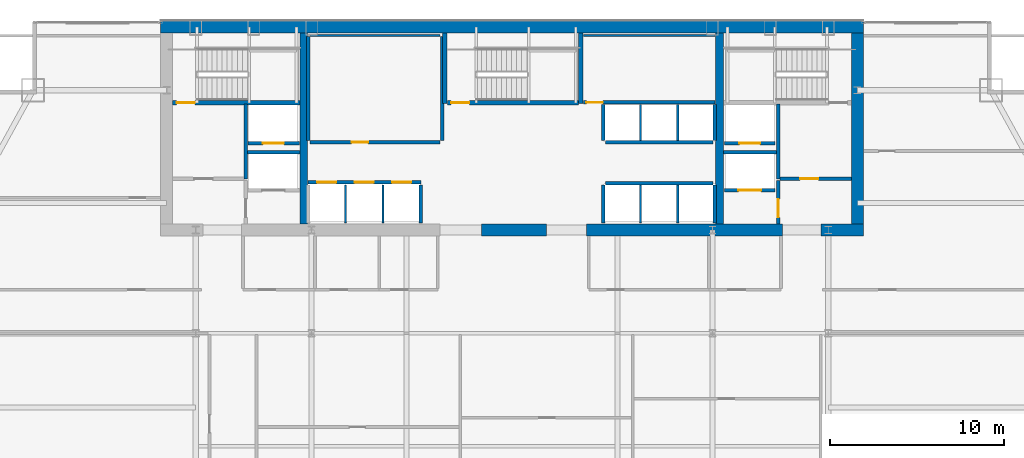
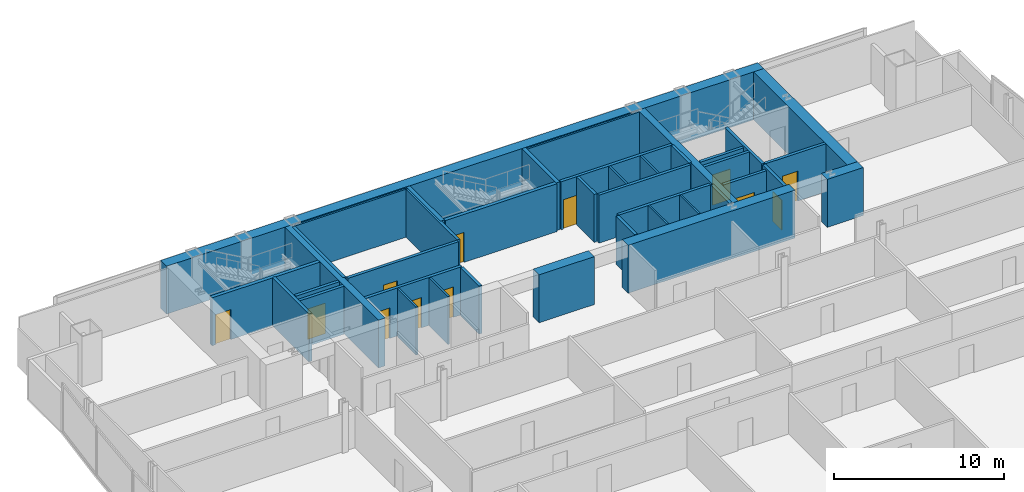
# One storey, part 26 of 29: 40 walls, 12 doors, 12 openings.
"""IFC4 building model written with IfcOpenShell, lengths in metres."""

from ifc_helpers import new_model, si_unit, direction, frame, frame_2d, origin, place, context, subcontext, project, spatial, rectangle, extrude, material, layer, layer_set, type_object, element, fill, save


model = new_model("IFC4")

# Units and contexts
model_context = context("Model", 3, precision=1e-05, world=origin(), true_north=direction((0.0, 1.0)))
body_context = subcontext(model_context, "Body", "Model", "MODEL_VIEW")
ifc_project = project(units=[si_unit("LENGTHUNIT", "METRE"), si_unit("AREAUNIT", "SQUARE_METRE"), si_unit("VOLUMEUNIT", "CUBIC_METRE"), si_unit("PLANEANGLEUNIT", "RADIAN"), si_unit("MASSUNIT", "GRAM", prefix="KILO")], contexts=[model_context])

# Site, building, storey
site_placement = place(None, origin())
site = spatial("IfcSite", under=ifc_project, at=site_placement, CompositionType="ELEMENT")
building_placement = place(site_placement, origin())
building = spatial("IfcBuilding", under=site, at=building_placement, Name="Khoronbel Lancet Exchange", CompositionType="ELEMENT")
storey_placement = place(building_placement, frame((0.0, 0.0, 139.800048828125)))
storey = spatial("IfcBuildingStorey", under=building, at=storey_placement, Name="L34", CompositionType="ELEMENT", Elevation=139.800048828125)

# Walls
ifc_material_1 = material(Name="Concrete C80/95", Category="concrete")
ifc_layer_1 = layer(ifc_material_1, 0.699951171875, Name="Concrete C80/95")
ifc_layer_set_1 = layer_set([ifc_layer_1], Name="Concrete C80/95")
wall_type_1 = type_object("IfcWallType", Name="WL-CW2", PredefinedType="SHEAR", material=ifc_layer_set_1)
wall_1_placement = place(storey_placement, frame((16.199951171875, 53.35009765625, 0.0), z_axis=(0.0, 0.0, 1.0), x_axis=(1.0, 0.0, 0.0)))
element("IfcWall", 1, at=wall_1_placement, inside=storey, type_object=wall_type_1, Name="Level L34 rear core north shear wall", PredefinedType="SHEAR", context=body_context, shape_type="SweptSolid", body=[
    extrude(rectangle(XDim=40.5, YDim=0.699951171875, at=frame_2d((20.25, 0.0))), origin(), (0.0, 0.0, 1.0), 3.43994140625),
])
wall_2_placement = place(storey_placement, frame((56.35009765625, 53.0, 0.0), z_axis=(0.0, 0.0, 1.0), x_axis=(0.0, -1.0, 0.0)))
element("IfcWall", 2, at=wall_2_placement, inside=storey, type_object=wall_type_1, Name="Level L34 rear core east shear wall", PredefinedType="SHEAR", context=body_context, shape_type="SweptSolid", body=[
    extrude(rectangle(XDim=11.0, YDim=0.699951171875, at=frame_2d((5.5, 0.0))), origin(), (0.0, 0.0, 1.0), 3.43994140625),
])
wall_3_placement = place(storey_placement, frame((38.449951171875, 41.64990234375, 0.0), z_axis=(0.0, 0.0, 1.0), x_axis=(-1.0, 0.0, 0.0)))
element("IfcWall", 3, at=wall_3_placement, inside=storey, type_object=wall_type_1, Name="Level L34 rear core south shear wall pier P3", PredefinedType="SHEAR", context=body_context, shape_type="SweptSolid", body=[
    extrude(rectangle(XDim=3.75, YDim=0.699951171875, at=frame_2d((1.875, 0.0))), origin(), (0.0, 0.0, 1.0), 3.43994140625),
])
wall_4_placement = place(storey_placement, frame((52.050048828125, 41.64990234375, 0.0), z_axis=(0.0, 0.0, 1.0), x_axis=(-1.0, 0.0, 0.0)))
element("IfcWall", 4, at=wall_4_placement, inside=storey, type_object=wall_type_1, Name="Level L34 rear core south shear wall pier P4", PredefinedType="SHEAR", context=body_context, shape_type="SweptSolid", body=[
    extrude(rectangle(XDim=11.300048828125, YDim=0.699951171875, at=frame_2d((5.64990234375, 0.0))), origin(), (0.0, 0.0, 1.0), 3.43994140625),
])
wall_5_placement = place(storey_placement, frame((56.699951171875, 41.64990234375, 0.0), z_axis=(0.0, 0.0, 1.0), x_axis=(-1.0, 0.0, 0.0)))
element("IfcWall", 5, at=wall_5_placement, inside=storey, type_object=wall_type_1, Name="Level L34 rear core south shear wall pier P5", PredefinedType="SHEAR", context=body_context, shape_type="SweptSolid", body=[
    extrude(rectangle(XDim=2.449951171875, YDim=0.699951171875, at=frame_2d((1.22509765625, 0.0))), origin(), (0.0, 0.0, 1.0), 3.43994140625),
])
ifc_material_2 = material(Name="Fire-Rated Metal-Stud & Mineral-Wool Gypsum Partition 120 mm", Category="gypsum")
ifc_layer_2 = layer(ifc_material_2, 0.1201171875, Name="Fire-Rated Metal-Stud & Mineral-Wool Gypsum Partition 120 mm")
ifc_layer_set_2 = layer_set([ifc_layer_2], Name="Fire-Rated Metal-Stud & Mineral-Wool Gypsum Partition 120 mm")
wall_type_2 = type_object("IfcWallType", Name="WL-PRT120F", PredefinedType="PARTITIONING", material=ifc_layer_set_2)
wall_6_placement = place(storey_placement, frame((24.804931640625, 52.860107421875, 0.0), z_axis=(0.0, 0.0, 1.0), x_axis=(1.0, 0.0, 0.0)))
element("IfcWall", 6, at=wall_6_placement, inside=storey, type_object=wall_type_2, Name="Level L34 interior partition CW-PL-RN", PredefinedType="PARTITIONING", context=body_context, shape_type="SweptSolid", body=[
    extrude(rectangle(XDim=7.510009765625, YDim=0.1201171875, at=frame_2d((3.7548828125, 0.0))), origin(), (0.0, 0.0, 1.0), 3.43994140625),
])
for number, where, z_axis, x_axis, name in (
    (7, (26.860107421875, 42.050048828125, 0.0), (0.0, 0.0, 1.0), (0.0, 1.0, 0.0), "Level L34 interior partition CW-PM-D1"),
    (8, (29.02001953125, 42.050048828125, 0.0), (0.0, 0.0, 1.0), (0.0, 1.0, 0.0), "Level L34 interior partition CW-PM-D2"),
):
    element("IfcWall", number, at=place(storey_placement, frame(where, z_axis=z_axis, x_axis=x_axis)), inside=storey, type_object=wall_type_2, Name=name, PredefinedType="PARTITIONING", context=body_context, shape_type="SweptSolid", body=[
        extrude(rectangle(XDim=2.199951171875, YDim=0.1201171875, at=frame_2d((1.10009765625, 0.0))), origin(), (0.0, 0.0, 1.0), 3.43994140625),
    ])
for number, where, z_axis, x_axis, name in (
    (9, (43.860107421875, 46.804931640625, 0.0), (0.0, 0.0, 1.0), (0.0, 1.0, 0.0), "Level L34 interior partition CW-PH-D1"),
    (10, (46.0, 46.804931640625, 0.0), (0.0, 0.0, 1.0), (0.0, 1.0, 0.0), "Level L34 interior partition CW-PH-D2"),
):
    element("IfcWall", number, at=place(storey_placement, frame(where, z_axis=z_axis, x_axis=x_axis)), inside=storey, type_object=wall_type_2, Name=name, PredefinedType="PARTITIONING", context=body_context, shape_type="SweptSolid", body=[
        extrude(rectangle(XDim=2.090087890625, YDim=0.1201171875, at=frame_2d((1.044921875, 0.0))), origin(), (0.0, 0.0, 1.0), 3.43994140625),
    ])
for number, where, z_axis, x_axis, name in (
    (11, (43.860107421875, 42.050048828125, 0.0), (0.0, 0.0, 1.0), (0.0, 1.0, 0.0), "Level L34 interior partition CW-PX-D1"),
    (12, (46.0, 42.050048828125, 0.0), (0.0, 0.0, 1.0), (0.0, 1.0, 0.0), "Level L34 interior partition CW-PX-D2"),
):
    element("IfcWall", number, at=place(storey_placement, frame(where, z_axis=z_axis, x_axis=x_axis)), inside=storey, type_object=wall_type_2, Name=name, PredefinedType="PARTITIONING", context=body_context, shape_type="SweptSolid", body=[
        extrude(rectangle(XDim=2.195068359375, YDim=0.1201171875, at=frame_2d((1.09765625, 0.0))), origin(), (0.0, 0.0, 1.0), 3.43994140625),
    ])
wall_7_placement = place(storey_placement, frame((40.580078125, 52.860107421875, 0.0), z_axis=(0.0, 0.0, 1.0), x_axis=(1.0, 0.0, 0.0)))
element("IfcWall", 13, at=wall_7_placement, inside=storey, type_object=wall_type_2, Name="Level L34 interior partition CW-SUP-NE-N", PredefinedType="PARTITIONING", context=body_context, shape_type="SweptSolid", body=[
    extrude(rectangle(XDim=7.559814453125, YDim=0.1201171875, at=frame_2d((3.77978515625, 0.0))), origin(), (0.0, 0.0, 1.0), 3.43994140625),
])

# Wall, openings, doors
ifc_material_3 = material(Name="Autoclaved Aerated Concrete Blockwork 200 mm", Category="masonry")
ifc_layer_3 = layer(ifc_material_3, 0.199951171875, Name="Autoclaved Aerated Concrete Blockwork 200 mm")
ifc_layer_set_3 = layer_set([ifc_layer_3], Name="Autoclaved Aerated Concrete Blockwork 200 mm")
wall_type_3 = type_object("IfcWallType", Name="WL-PRT200", PredefinedType="PARTITIONING", material=ifc_layer_set_3)
wall_8_placement = place(storey_placement, frame((24.68994140625, 44.39990234375, 0.0), z_axis=(0.0, 0.0, 1.0), x_axis=(1.0, 0.0, 0.0)))
wall_8 = element("IfcWall", 14, at=wall_8_placement, inside=storey, type_object=wall_type_3, Name="Level L34 elevator hoistway landing front wall PMW", PredefinedType="PARTITIONING", context=body_context, shape_type="SweptSolid", body=[
    extrude(rectangle(XDim=6.530029296875, YDim=0.199951171875, at=frame_2d((3.26513671875, 0.0))), origin(), (0.0, 0.0, 1.0), 3.43994140625),
])
opening_1_placement = place(wall_8_placement, frame((0.530029296875, 0.0, 0.0)))
opening_1 = element("IfcOpeningElement", 15, at=opening_1_placement, cuts=wall_8, Name="Opening LD-PM1", PredefinedType="OPENING", context=body_context, shape_type="SweptSolid", body=[
    extrude(rectangle(XDim=1.10009765625, YDim=2.179931640625, at=frame_2d((0.550048828125, 1.08984375))), frame((0.0, 0.10986328125, 0.0), z_axis=(0.0, -1.0, 0.0), x_axis=(1.0, 0.0, 0.0)), (0.0, 0.0, 1.0), 0.219970703125),
])
opening_2_placement = place(wall_8_placement, frame((2.68994140625, 0.0, 0.0)))
opening_2 = element("IfcOpeningElement", 16, at=opening_2_placement, cuts=wall_8, Name="Opening LD-PM2", PredefinedType="OPENING", context=body_context, shape_type="SweptSolid", body=[
    extrude(rectangle(XDim=1.10009765625, YDim=2.179931640625, at=frame_2d((0.550048828125, 1.08984375))), frame((0.0, 0.10986328125, 0.0), z_axis=(0.0, -1.0, 0.0), x_axis=(1.0, 0.0, 0.0)), (0.0, 0.0, 1.0), 0.219970703125),
])
opening_3_placement = place(wall_8_placement, frame((4.85009765625, 0.0, 0.0)))
opening_3 = element("IfcOpeningElement", 17, at=opening_3_placement, cuts=wall_8, Name="Opening LD-PM3", PredefinedType="OPENING", context=body_context, shape_type="SweptSolid", body=[
    extrude(rectangle(XDim=1.10009765625, YDim=2.179931640625, at=frame_2d((0.550048828125, 1.08984375))), frame((0.0, 0.10986328125, 0.0), z_axis=(0.0, -1.0, 0.0), x_axis=(1.0, 0.0, 0.0)), (0.0, 0.0, 1.0), 0.219970703125),
])
ifc_material_4 = material(Name="Brushed Bronze Bi-Parting Elevator Landing Door", Category="steel")
door_type_1 = type_object("IfcDoorType", Name="DR-LD-PAX", OperationType="NOTDEFINED", PredefinedType="DOOR", material=ifc_material_4)
door_1_placement = place(opening_1_placement, origin())
door_1 = element("IfcDoor", 18, at=door_1_placement, inside=storey, type_object=door_type_1, Name="Elevator landing sliding door LD-PM1 L34", OperationType="SLIDING_TO_LEFT", OverallHeight=2.179931640625, OverallWidth=1.10009765625, PredefinedType="DOOR", context=body_context, shape_type="SweptSolid", body=[
    extrude(rectangle(XDim=1.10009765625, YDim=2.179931640625, at=frame_2d((0.550048828125, 1.08984375))), frame((0.0, 0.02490234375, 0.0), z_axis=(0.0, -1.0, 0.0), x_axis=(1.0, 0.0, 0.0)), (0.0, 0.0, 1.0), 0.050048828125),
])
fill(opening_1, door_1)
door_2_placement = place(opening_2_placement, origin())
door_2 = element("IfcDoor", 19, at=door_2_placement, inside=storey, type_object=door_type_1, Name="Elevator landing sliding door LD-PM2 L34", OperationType="SLIDING_TO_LEFT", OverallHeight=2.179931640625, OverallWidth=1.10009765625, PredefinedType="DOOR", context=body_context, shape_type="SweptSolid", body=[
    extrude(rectangle(XDim=1.10009765625, YDim=2.179931640625, at=frame_2d((0.550048828125, 1.08984375))), frame((0.0, 0.02490234375, 0.0), z_axis=(0.0, -1.0, 0.0), x_axis=(1.0, 0.0, 0.0)), (0.0, 0.0, 1.0), 0.050048828125),
])
fill(opening_2, door_2)
door_3_placement = place(opening_3_placement, origin())
door_3 = element("IfcDoor", 20, at=door_3_placement, inside=storey, type_object=door_type_1, Name="Elevator landing sliding door LD-PM3 L34", OperationType="SLIDING_TO_LEFT", OverallHeight=2.179931640625, OverallWidth=1.10009765625, PredefinedType="DOOR", context=body_context, shape_type="SweptSolid", body=[
    extrude(rectangle(XDim=1.10009765625, YDim=2.179931640625, at=frame_2d((0.550048828125, 1.08984375))), frame((0.0, 0.02490234375, 0.0), z_axis=(0.0, -1.0, 0.0), x_axis=(1.0, 0.0, 0.0)), (0.0, 0.0, 1.0), 0.050048828125),
])
fill(opening_3, door_3)

# Wall, opening, door
wall_9_placement = place(storey_placement, frame((51.610107421875, 43.949951171875, 0.0), z_axis=(0.0, 0.0, 1.0), x_axis=(-1.0, 0.0, 0.0)))
wall_9 = element("IfcWall", 21, at=wall_9_placement, inside=storey, type_object=wall_type_3, Name="Level L34 elevator hoistway landing front wall SVLE", PredefinedType="PARTITIONING", context=body_context, shape_type="SweptSolid", body=[
    extrude(rectangle(XDim=2.920166015625, YDim=0.199951171875, at=frame_2d((1.4599609375, 0.0))), origin(), (0.0, 0.0, 1.0), 3.43994140625),
])
opening_4_placement = place(wall_9_placement, frame((0.81005859375, 0.0, 0.0)))
opening_4 = element("IfcOpeningElement", 22, at=opening_4_placement, cuts=wall_9, Name="Opening LD-SVL2", PredefinedType="OPENING", context=body_context, shape_type="SweptSolid", body=[
    extrude(rectangle(XDim=1.300048828125, YDim=2.179931640625, at=frame_2d((0.64990234375, 1.08984375))), frame((0.0, 0.10986328125, 0.0), z_axis=(0.0, -1.0, 0.0), x_axis=(1.0, 0.0, 0.0)), (0.0, 0.0, 1.0), 0.219970703125),
])
ifc_material_5 = material(Name="Heavy-Duty Bi-Parting Goods Lift Landing Door", Category="steel")
door_type_2 = type_object("IfcDoorType", Name="DR-LD-SVL", OperationType="NOTDEFINED", PredefinedType="DOOR", material=ifc_material_5)
door_4_placement = place(opening_4_placement, origin())
door_4 = element("IfcDoor", 23, at=door_4_placement, inside=storey, type_object=door_type_2, Name="Elevator landing sliding door LD-SVL2 L34", OperationType="SLIDING_TO_LEFT", OverallHeight=2.179931640625, OverallWidth=1.300048828125, PredefinedType="DOOR", context=body_context, shape_type="SweptSolid", body=[
    extrude(rectangle(XDim=1.300048828125, YDim=2.179931640625, at=frame_2d((0.64990234375, 1.08984375))), frame((0.0, 0.02490234375, 0.0), z_axis=(0.0, -1.0, 0.0), x_axis=(1.0, 0.0, 0.0)), (0.0, 0.0, 1.0), 0.050048828125),
])
fill(opening_4, door_4)

wall_10_placement = place(storey_placement, frame((51.610107421875, 46.64990234375, 0.0), z_axis=(0.0, 0.0, 1.0), x_axis=(-1.0, 0.0, 0.0)))
wall_10 = element("IfcWall", 24, at=wall_10_placement, inside=storey, type_object=wall_type_3, Name="Level L34 elevator hoistway landing front wall FFLE", PredefinedType="PARTITIONING", context=body_context, shape_type="SweptSolid", body=[
    extrude(rectangle(XDim=2.920166015625, YDim=0.199951171875, at=frame_2d((1.4599609375, 0.0))), origin(), (0.0, 0.0, 1.0), 3.43994140625),
])
opening_5_placement = place(wall_10_placement, frame((0.860107421875, 0.0, 0.0)))
opening_5 = element("IfcOpeningElement", 25, at=opening_5_placement, cuts=wall_10, Name="Opening LD-FFL2", PredefinedType="OPENING", context=body_context, shape_type="SweptSolid", body=[
    extrude(rectangle(XDim=1.199951171875, YDim=2.179931640625, at=frame_2d((0.60009765625, 1.08984375))), frame((0.0, 0.10986328125, 0.0), z_axis=(0.0, -1.0, 0.0), x_axis=(1.0, 0.0, 0.0)), (0.0, 0.0, 1.0), 0.219970703125),
])
ifc_material_6 = material(Name="Fire-Rated Stainless Bi-Parting Firefighting Lift Door", Category="steel")
door_type_3 = type_object("IfcDoorType", Name="DR-LD-FFL", OperationType="NOTDEFINED", PredefinedType="DOOR", material=ifc_material_6)
door_5_placement = place(opening_5_placement, origin())
door_5 = element("IfcDoor", 26, at=door_5_placement, inside=storey, type_object=door_type_3, Name="Elevator landing sliding door LD-FFL2 L34", OperationType="SLIDING_TO_LEFT", OverallHeight=2.179931640625, OverallWidth=1.199951171875, PredefinedType="DOOR", context=body_context, shape_type="SweptSolid", body=[
    extrude(rectangle(XDim=1.199951171875, YDim=2.179931640625, at=frame_2d((0.60009765625, 1.08984375))), frame((0.0, 0.02490234375, 0.0), z_axis=(0.0, -1.0, 0.0), x_axis=(1.0, 0.0, 0.0)), (0.0, 0.0, 1.0), 0.050048828125),
])
fill(opening_5, door_5)

wall_11_placement = place(storey_placement, frame((24.2099609375, 46.64990234375, 0.0), z_axis=(0.0, 0.0, 1.0), x_axis=(-1.0, 0.0, 0.0)))
wall_11 = element("IfcWall", 27, at=wall_11_placement, inside=storey, type_object=wall_type_3, Name="Level L34 elevator hoistway landing front wall FFLW", PredefinedType="PARTITIONING", context=body_context, shape_type="SweptSolid", body=[
    extrude(rectangle(XDim=2.969970703125, YDim=0.199951171875, at=frame_2d((1.48486328125, 0.0))), origin(), (0.0, 0.0, 1.0), 3.43994140625),
])
opening_6_placement = place(wall_11_placement, frame((0.909912109375, 0.0, 0.0)))
opening_6 = element("IfcOpeningElement", 28, at=opening_6_placement, cuts=wall_11, Name="Opening LD-FFL1", PredefinedType="OPENING", context=body_context, shape_type="SweptSolid", body=[
    extrude(rectangle(XDim=1.199951171875, YDim=2.179931640625, at=frame_2d((0.60009765625, 1.08984375))), frame((0.0, 0.10986328125, 0.0), z_axis=(0.0, -1.0, 0.0), x_axis=(1.0, 0.0, 0.0)), (0.0, 0.0, 1.0), 0.219970703125),
])
door_6_placement = place(opening_6_placement, origin())
door_6 = element("IfcDoor", 29, at=door_6_placement, inside=storey, type_object=door_type_3, Name="Elevator landing sliding door LD-FFL1 L34", OperationType="SLIDING_TO_LEFT", OverallHeight=2.179931640625, OverallWidth=1.199951171875, PredefinedType="DOOR", context=body_context, shape_type="SweptSolid", body=[
    extrude(rectangle(XDim=1.199951171875, YDim=2.179931640625, at=frame_2d((0.60009765625, 1.08984375))), frame((0.0, 0.02490234375, 0.0), z_axis=(0.0, -1.0, 0.0), x_axis=(1.0, 0.0, 0.0)), (0.0, 0.0, 1.0), 0.050048828125),
])
fill(opening_6, door_6)

# Walls
wall_12_placement = place(storey_placement, frame((21.10009765625, 44.60009765625, 0.0), z_axis=(0.0, 0.0, 1.0), x_axis=(0.0, 1.0, 0.0)))
element("IfcWall", 30, at=wall_12_placement, inside=storey, type_object=wall_type_3, Name="Level L34 interior partition CW-FFLW-E", PredefinedType="PARTITIONING", context=body_context, shape_type="SweptSolid", body=[
    extrude(rectangle(XDim=4.2998046875, YDim=0.199951171875, at=frame_2d((2.14990234375, 0.0))), origin(), (0.0, 0.0, 1.0), 3.43994140625),
])
wall_13_placement = place(storey_placement, frame((21.199951171875, 46.1201171875, 0.0), z_axis=(0.0, 0.0, 1.0), x_axis=(1.0, 0.0, 0.0)))
element("IfcWall", 31, at=wall_13_placement, inside=storey, type_object=wall_type_3, Name="Level L34 interior partition CW-FFL1-S", PredefinedType="PARTITIONING", context=body_context, shape_type="SweptSolid", body=[
    extrude(rectangle(XDim=3.02001953125, YDim=0.199951171875, at=frame_2d((1.510009765625, 0.0))), origin(), (0.0, 0.0, 1.0), 3.43994140625),
])
wall_14_placement = place(storey_placement, frame((51.800048828125, 44.60009765625, 0.0), z_axis=(0.0, 0.0, 1.0), x_axis=(0.0, 1.0, 0.0)))
element("IfcWall", 32, at=wall_14_placement, inside=storey, type_object=wall_type_3, Name="Level L34 interior partition CW-FFLE-W", PredefinedType="PARTITIONING", context=body_context, shape_type="SweptSolid", body=[
    extrude(rectangle(XDim=4.2998046875, YDim=0.199951171875, at=frame_2d((2.14990234375, 0.0))), origin(), (0.0, 0.0, 1.0), 3.43994140625),
])

# Wall, opening, door
wall_15_placement = place(storey_placement, frame((51.89990234375, 44.60009765625, 0.0), z_axis=(0.0, 0.0, 1.0), x_axis=(1.0, 0.0, 0.0)))
wall_15 = element("IfcWall", 33, at=wall_15_placement, inside=storey, type_object=wall_type_3, Name="Level L34 interior partition CW-FFLE-S", PredefinedType="PARTITIONING", context=body_context, shape_type="SweptSolid", body=[
    extrude(rectangle(XDim=4.10009765625, YDim=0.199951171875, at=frame_2d((2.050048828125, 0.0))), origin(), (0.0, 0.0, 1.0), 3.43994140625),
])
opening_7_placement = place(wall_15_placement, frame((1.14990234375, 0.0, 0.0)))
opening_7 = element("IfcOpeningElement", 34, at=opening_7_placement, cuts=wall_15, Name="Opening FD1", PredefinedType="OPENING", context=body_context, shape_type="SweptSolid", body=[
    extrude(rectangle(XDim=1.050048828125, YDim=2.14990234375, at=frame_2d((0.52490234375, 1.074951171875))), frame((0.0, 0.10986328125, 0.0), z_axis=(0.0, -1.0, 0.0), x_axis=(1.0, 0.0, 0.0)), (0.0, 0.0, 1.0), 0.219970703125),
])
ifc_material_7 = material(Name="Fire-Rated Painted Steel Door Assembly", Category="steel")
door_type_4 = type_object("IfcDoorType", Name="DR-FD1", OperationType="NOTDEFINED", PredefinedType="DOOR", material=ifc_material_7)
door_7_placement = place(opening_7_placement, origin())
door_7 = element("IfcDoor", 35, at=door_7_placement, inside=storey, type_object=door_type_4, Name="East firefighting lobby FD90S door L34-1", OperationType="SINGLE_SWING_RIGHT", OverallHeight=2.14990234375, OverallWidth=1.050048828125, PredefinedType="DOOR", context=body_context, shape_type="SweptSolid", body=[
    extrude(rectangle(XDim=1.050048828125, YDim=2.14990234375, at=frame_2d((0.52490234375, 1.074951171875))), frame((0.0, 0.02490234375, 0.0), z_axis=(0.0, -1.0, 0.0), x_axis=(1.0, 0.0, 0.0)), (0.0, 0.0, 1.0), 0.050048828125),
])
fill(opening_7, door_7)

# Wall
wall_16_placement = place(storey_placement, frame((48.6298828125, 46.1201171875, 0.0), z_axis=(0.0, 0.0, 1.0), x_axis=(1.0, 0.0, 0.0)))
element("IfcWall", 36, at=wall_16_placement, inside=storey, type_object=wall_type_3, Name="Level L34 interior partition CW-FFL2-S", PredefinedType="PARTITIONING", context=body_context, shape_type="SweptSolid", body=[
    extrude(rectangle(XDim=3.070068359375, YDim=0.199951171875, at=frame_2d((1.53515625, 0.0))), origin(), (0.0, 0.0, 1.0), 3.43994140625),
])

# Wall, opening, door
wall_17_placement = place(storey_placement, frame((51.800048828125, 42.0, 0.0), z_axis=(0.0, 0.0, 1.0), x_axis=(0.0, 1.0, 0.0)))
wall_17 = element("IfcWall", 37, at=wall_17_placement, inside=storey, type_object=wall_type_3, Name="Level L34 interior partition CW-SVLE-E", PredefinedType="PARTITIONING", context=body_context, shape_type="SweptSolid", body=[
    extrude(rectangle(XDim=2.4951171875, YDim=0.199951171875, at=frame_2d((1.24755859375, 0.0))), origin(), (0.0, 0.0, 1.0), 3.43994140625),
])
opening_8_placement = place(wall_17_placement, frame((0.3798828125, 0.0, 0.0)))
opening_8 = element("IfcOpeningElement", 38, at=opening_8_placement, cuts=wall_17, Name="Opening FD1", PredefinedType="OPENING", context=body_context, shape_type="SweptSolid", body=[
    extrude(rectangle(XDim=1.050048828125, YDim=2.14990234375, at=frame_2d((0.52490234375, 1.074951171875))), frame((0.0, 0.10986328125, 0.0), z_axis=(0.0, -1.0, 0.0), x_axis=(1.0, 0.0, 0.0)), (0.0, 0.0, 1.0), 0.219970703125),
])
door_8_placement = place(opening_8_placement, origin())
door_8 = element("IfcDoor", 39, at=door_8_placement, inside=storey, type_object=door_type_4, Name="East service lift lobby door L34-1", OperationType="SINGLE_SWING_LEFT", OverallHeight=2.14990234375, OverallWidth=1.050048828125, PredefinedType="DOOR", context=body_context, shape_type="SweptSolid", body=[
    extrude(rectangle(XDim=1.050048828125, YDim=2.14990234375, at=frame_2d((0.52490234375, 1.074951171875))), frame((0.0, 0.02490234375, 0.0), z_axis=(0.0, -1.0, 0.0), x_axis=(1.0, 0.0, 0.0)), (0.0, 0.0, 1.0), 0.050048828125),
])
fill(opening_8, door_8)

# Walls
for number, where, z_axis, x_axis, name in (
    (40, (24.699951171875, 46.804931640625, 0.0), (0.0, 0.0, 1.0), (0.0, 1.0, 0.0), "Level L34 interior partition CW-PL-RW"),
    (41, (32.419921875, 46.804931640625, 0.0), (0.0, 0.0, 1.0), (0.0, 1.0, 0.0), "Level L34 interior partition CW-PL-RE"),
):
    element("IfcWall", number, at=place(storey_placement, frame(where, z_axis=z_axis, x_axis=x_axis)), inside=storey, type_object=wall_type_3, Name=name, PredefinedType="PARTITIONING", context=body_context, shape_type="SweptSolid", body=[
        extrude(rectangle(XDim=5.989990234375, YDim=0.199951171875, at=frame_2d((2.9951171875, 0.0))), origin(), (0.0, 0.0, 1.0), 3.43994140625),
    ])

# Wall, opening, door
wall_18_placement = place(storey_placement, frame((24.804931640625, 46.699951171875, 0.0), z_axis=(0.0, 0.0, 1.0), x_axis=(1.0, 0.0, 0.0)))
wall_18 = element("IfcWall", 42, at=wall_18_placement, inside=storey, type_object=wall_type_3, Name="Level L34 interior partition CW-PL-RF", PredefinedType="PARTITIONING", context=body_context, shape_type="SweptSolid", body=[
    extrude(rectangle(XDim=7.510009765625, YDim=0.199951171875, at=frame_2d((3.7548828125, 0.0))), origin(), (0.0, 0.0, 1.0), 3.43994140625),
])
opening_9_placement = place(wall_18_placement, frame((2.39990234375, 0.0, 0.0)))
opening_9 = element("IfcOpeningElement", 43, at=opening_9_placement, cuts=wall_18, Name="Opening FD3", PredefinedType="OPENING", context=body_context, shape_type="SweptSolid", body=[
    extrude(rectangle(XDim=0.949951171875, YDim=2.10009765625, at=frame_2d((0.47509765625, 1.050048828125))), frame((0.0, 0.10986328125, 0.0), z_axis=(0.0, -1.0, 0.0), x_axis=(1.0, 0.0, 0.0)), (0.0, 0.0, 1.0), 0.219970703125),
])
ifc_material_8 = material(Name="Fire-Rated Steel Plant & Riser Door Assembly", Category="steel")
door_type_5 = type_object("IfcDoorType", Name="DR-FD3", OperationType="NOTDEFINED", PredefinedType="DOOR", material=ifc_material_8)
door_9_placement = place(opening_9_placement, origin())
door_9 = element("IfcDoor", 44, at=door_9_placement, inside=storey, type_object=door_type_5, Name="Reclaimed PL room door L34-1", OperationType="SINGLE_SWING_RIGHT", OverallHeight=2.10009765625, OverallWidth=0.949951171875, PredefinedType="DOOR", context=body_context, shape_type="SweptSolid", body=[
    extrude(rectangle(XDim=0.949951171875, YDim=2.10009765625, at=frame_2d((0.47509765625, 1.050048828125))), frame((0.0, 0.02490234375, 0.0), z_axis=(0.0, -1.0, 0.0), x_axis=(1.0, 0.0, 0.0)), (0.0, 0.0, 1.0), 0.050048828125),
])
fill(opening_9, door_9)

# Walls
wall_19_placement = place(storey_placement, frame((31.179931640625, 42.050048828125, 0.0), z_axis=(0.0, 0.0, 1.0), x_axis=(0.0, 1.0, 0.0)))
element("IfcWall", 45, at=wall_19_placement, inside=storey, type_object=wall_type_3, Name="Level L34 interior partition CW-PM-E", PredefinedType="PARTITIONING", context=body_context, shape_type="SweptSolid", body=[
    extrude(rectangle(XDim=2.199951171875, YDim=0.199951171875, at=frame_2d((1.10009765625, 0.0))), origin(), (0.0, 0.0, 1.0), 3.43994140625),
])
wall_20_placement = place(storey_placement, frame((41.824951171875, 46.699951171875, 0.0), z_axis=(0.0, 0.0, 1.0), x_axis=(1.0, 0.0, 0.0)))
element("IfcWall", 46, at=wall_20_placement, inside=storey, type_object=wall_type_3, Name="Level L34 interior partition CW-PH-EXP", PredefinedType="PARTITIONING", context=body_context, shape_type="SweptSolid", body=[
    extrude(rectangle(XDim=6.2099609375, YDim=0.199951171875, at=frame_2d((3.10498046875, 0.0))), origin(), (0.0, 0.0, 1.0), 3.43994140625),
])
for number, where, z_axis, x_axis, name in (
    (47, (41.719970703125, 46.804931640625, 0.0), (0.0, 0.0, 1.0), (0.0, 1.0, 0.0), "Level L34 interior partition CW-PH-W"),
    (48, (48.139892578125, 46.804931640625, 0.0), (0.0, 0.0, 1.0), (0.0, 1.0, 0.0), "Level L34 interior partition CW-PH-E"),
):
    element("IfcWall", number, at=place(storey_placement, frame(where, z_axis=z_axis, x_axis=x_axis)), inside=storey, type_object=wall_type_3, Name=name, PredefinedType="PARTITIONING", context=body_context, shape_type="SweptSolid", body=[
        extrude(rectangle(XDim=2.090087890625, YDim=0.199951171875, at=frame_2d((1.044921875, 0.0))), origin(), (0.0, 0.0, 1.0), 3.43994140625),
    ])
wall_21_placement = place(storey_placement, frame((41.824951171875, 44.35009765625, 0.0), z_axis=(0.0, 0.0, 1.0), x_axis=(1.0, 0.0, 0.0)))
element("IfcWall", 49, at=wall_21_placement, inside=storey, type_object=wall_type_3, Name="Level L34 interior partition CW-PX-EXP", PredefinedType="PARTITIONING", context=body_context, shape_type="SweptSolid", body=[
    extrude(rectangle(XDim=6.2099609375, YDim=0.199951171875, at=frame_2d((3.10498046875, 0.0))), origin(), (0.0, 0.0, 1.0), 3.43994140625),
])
for number, where, z_axis, x_axis, name in (
    (50, (41.719970703125, 42.050048828125, 0.0), (0.0, 0.0, 1.0), (0.0, 1.0, 0.0), "Level L34 interior partition CW-PX-W"),
    (51, (48.139892578125, 42.050048828125, 0.0), (0.0, 0.0, 1.0), (0.0, 1.0, 0.0), "Level L34 interior partition CW-PX-E"),
):
    element("IfcWall", number, at=place(storey_placement, frame(where, z_axis=z_axis, x_axis=x_axis)), inside=storey, type_object=wall_type_3, Name=name, PredefinedType="PARTITIONING", context=body_context, shape_type="SweptSolid", body=[
        extrude(rectangle(XDim=2.195068359375, YDim=0.199951171875, at=frame_2d((1.09765625, 0.0))), origin(), (0.0, 0.0, 1.0), 3.43994140625),
    ])

# Wall, opening, door
wall_22_placement = place(storey_placement, frame((40.580078125, 49.0, 0.0), z_axis=(0.0, 0.0, 1.0), x_axis=(1.0, 0.0, 0.0)))
wall_22 = element("IfcWall", 52, at=wall_22_placement, inside=storey, type_object=wall_type_3, Name="Level L34 interior partition CW-SUP-NE-S", PredefinedType="PARTITIONING", context=body_context, shape_type="SweptSolid", body=[
    extrude(rectangle(XDim=7.559814453125, YDim=0.199951171875, at=frame_2d((3.77978515625, 0.0))), origin(), (0.0, 0.0, 1.0), 3.43994140625),
])
opening_10_placement = place(wall_22_placement, frame((0.159912109375, 0.0, 0.0)))
opening_10 = element("IfcOpeningElement", 53, at=opening_10_placement, cuts=wall_22, Name="Opening FD3", PredefinedType="OPENING", context=body_context, shape_type="SweptSolid", body=[
    extrude(rectangle(XDim=0.949951171875, YDim=2.10009765625, at=frame_2d((0.47509765625, 1.050048828125))), frame((0.0, 0.10986328125, 0.0), z_axis=(0.0, -1.0, 0.0), x_axis=(1.0, 0.0, 0.0)), (0.0, 0.0, 1.0), 0.219970703125),
])
door_10_placement = place(opening_10_placement, origin())
door_10 = element("IfcDoor", 54, at=door_10_placement, inside=storey, type_object=door_type_5, Name="Core NE support room door L34-1", OperationType="SINGLE_SWING_LEFT", OverallHeight=2.10009765625, OverallWidth=0.949951171875, PredefinedType="DOOR", context=body_context, shape_type="SweptSolid", body=[
    extrude(rectangle(XDim=0.949951171875, YDim=2.10009765625, at=frame_2d((0.47509765625, 1.050048828125))), frame((0.0, 0.02490234375, 0.0), z_axis=(0.0, -1.0, 0.0), x_axis=(1.0, 0.0, 0.0)), (0.0, 0.0, 1.0), 0.050048828125),
])
fill(opening_10, door_10)

# Walls
ifc_layer_4 = layer(ifc_material_1, 0.449951171875, Name="Concrete C80/95")
ifc_layer_set_4 = layer_set([ifc_layer_4], Name="Concrete C80/95")
wall_type_4 = type_object("IfcWallType", Name="WL-SW1", PredefinedType="SHEAR", material=ifc_layer_set_4)
for number, where, z_axis, x_axis, name in (
    (55, (24.449951171875, 42.0, 0.0), (0.0, 0.0, 1.0), (0.0, 1.0, 0.0), "Level L34 rear core internal spine shear wall IW"),
    (56, (48.39990234375, 42.0, 0.0), (0.0, 0.0, 1.0), (0.0, 1.0, 0.0), "Level L34 rear core internal spine shear wall IE"),
):
    element("IfcWall", number, at=place(storey_placement, frame(where, z_axis=z_axis, x_axis=x_axis)), inside=storey, type_object=wall_type_4, Name=name, PredefinedType="SHEAR", context=body_context, shape_type="SweptSolid", body=[
        extrude(rectangle(XDim=11.0, YDim=0.449951171875, at=frame_2d((5.5, 0.0))), origin(), (0.0, 0.0, 1.0), 3.43994140625),
    ])
ifc_material_9 = material(Name="Concrete C60/75", Category="concrete")
ifc_layer_5 = layer(ifc_material_9, 0.260009765625, Name="Concrete C60/75")
ifc_layer_set_5 = layer_set([ifc_layer_5], Name="Concrete C60/75")
wall_type_5 = type_object("IfcWallType", Name="WL-SW3", PredefinedType="SHEAR", material=ifc_layer_set_5)
for number, where, z_axis, x_axis, name in (
    (57, (32.580078125, 48.949951171875, 0.0), (0.0, 0.0, 1.0), (0.0, 1.0, 0.0), "Level L34 central stairwell structural shear wall ST3W"),
    (58, (40.419921875, 48.949951171875, 0.0), (0.0, 0.0, 1.0), (0.0, 1.0, 0.0), "Level L34 central stairwell structural shear wall ST3E"),
):
    element("IfcWall", number, at=place(storey_placement, frame(where, z_axis=z_axis, x_axis=x_axis)), inside=storey, type_object=wall_type_5, Name=name, PredefinedType="SHEAR", context=body_context, shape_type="SweptSolid", body=[
        extrude(rectangle(XDim=4.050048828125, YDim=0.260009765625, at=frame_2d((2.02490234375, 0.0))), origin(), (0.0, 0.0, 1.0), 3.43994140625),
    ])

# Wall, opening, door
wall_23_placement = place(storey_placement, frame((16.89990234375, 48.97998046875, 0.0), z_axis=(0.0, 0.0, 1.0), x_axis=(1.0, 0.0, 0.0)))
wall_23 = element("IfcWall", 59, at=wall_23_placement, inside=storey, type_object=wall_type_5, Name="Level L34 west stairwell structural south wall", PredefinedType="SHEAR", context=body_context, shape_type="SweptSolid", body=[
    extrude(rectangle(XDim=7.320068359375, YDim=0.239990234375, at=frame_2d((3.66015625, 0.0))), origin(), (0.0, 0.0, 1.0), 3.43994140625),
])
opening_11_placement = place(wall_23_placement, frame((0.219970703125, 0.0, 0.0)))
opening_11 = element("IfcOpeningElement", 60, at=opening_11_placement, cuts=wall_23, Name="Opening SD1", PredefinedType="OPENING", context=body_context, shape_type="SweptSolid", body=[
    extrude(rectangle(XDim=1.050048828125, YDim=2.14990234375, at=frame_2d((0.52490234375, 1.074951171875))), frame((0.0, 0.1298828125, 0.0), z_axis=(0.0, -1.0, 0.0), x_axis=(1.0, 0.0, 0.0)), (0.0, 0.0, 1.0), 0.260009765625),
])
ifc_material_10 = material(Name="Fire-Rated Steel Stairwell Door Assembly", Category="steel")
door_type_6 = type_object("IfcDoorType", Name="DR-SD1", OperationType="NOTDEFINED", PredefinedType="DOOR", material=ifc_material_10)
door_11_placement = place(opening_11_placement, origin())
door_11 = element("IfcDoor", 61, at=door_11_placement, inside=storey, type_object=door_type_6, Name="Protected exit stair ST1 door L34", OperationType="SINGLE_SWING_LEFT", OverallHeight=2.14990234375, OverallWidth=1.050048828125, PredefinedType="DOOR", context=body_context, shape_type="SweptSolid", body=[
    extrude(rectangle(XDim=1.050048828125, YDim=2.14990234375, at=frame_2d((0.52490234375, 1.074951171875))), frame((0.0, 0.02490234375, 0.0), z_axis=(0.0, -1.0, 0.0), x_axis=(1.0, 0.0, 0.0)), (0.0, 0.0, 1.0), 0.050048828125),
])
fill(opening_11, door_11)

wall_24_placement = place(storey_placement, frame((32.719970703125, 48.97998046875, 0.0), z_axis=(0.0, 0.0, 1.0), x_axis=(1.0, 0.0, 0.0)))
wall_24 = element("IfcWall", 62, at=wall_24_placement, inside=storey, type_object=wall_type_5, Name="Level L34 central stairwell structural south wall", PredefinedType="SHEAR", context=body_context, shape_type="SweptSolid", body=[
    extrude(rectangle(XDim=7.56005859375, YDim=0.239990234375, at=frame_2d((3.780029296875, 0.0))), origin(), (0.0, 0.0, 1.0), 3.43994140625),
])
opening_12_placement = place(wall_24_placement, frame((0.219970703125, 0.0, 0.0)))
opening_12 = element("IfcOpeningElement", 63, at=opening_12_placement, cuts=wall_24, Name="Opening SD1", PredefinedType="OPENING", context=body_context, shape_type="SweptSolid", body=[
    extrude(rectangle(XDim=1.050048828125, YDim=2.14990234375, at=frame_2d((0.52490234375, 1.074951171875))), frame((0.0, 0.1298828125, 0.0), z_axis=(0.0, -1.0, 0.0), x_axis=(1.0, 0.0, 0.0)), (0.0, 0.0, 1.0), 0.260009765625),
])
door_12_placement = place(opening_12_placement, origin())
door_12 = element("IfcDoor", 64, at=door_12_placement, inside=storey, type_object=door_type_6, Name="Protected exit stair ST3 door L34", OperationType="SINGLE_SWING_LEFT", OverallHeight=2.14990234375, OverallWidth=1.050048828125, PredefinedType="DOOR", context=body_context, shape_type="SweptSolid", body=[
    extrude(rectangle(XDim=1.050048828125, YDim=2.14990234375, at=frame_2d((0.52490234375, 1.074951171875))), frame((0.0, 0.02490234375, 0.0), z_axis=(0.0, -1.0, 0.0), x_axis=(1.0, 0.0, 0.0)), (0.0, 0.0, 1.0), 0.050048828125),
])
fill(opening_12, door_12)

save(model, "model.ifc")
